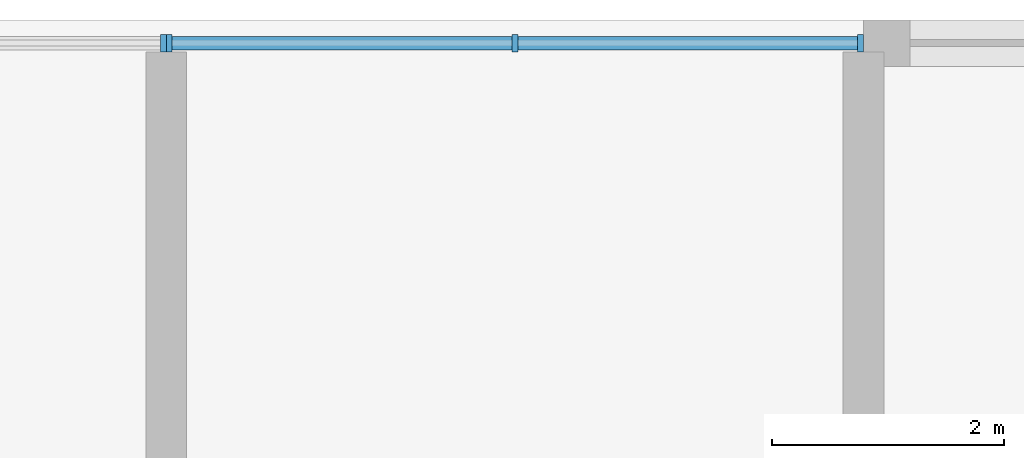
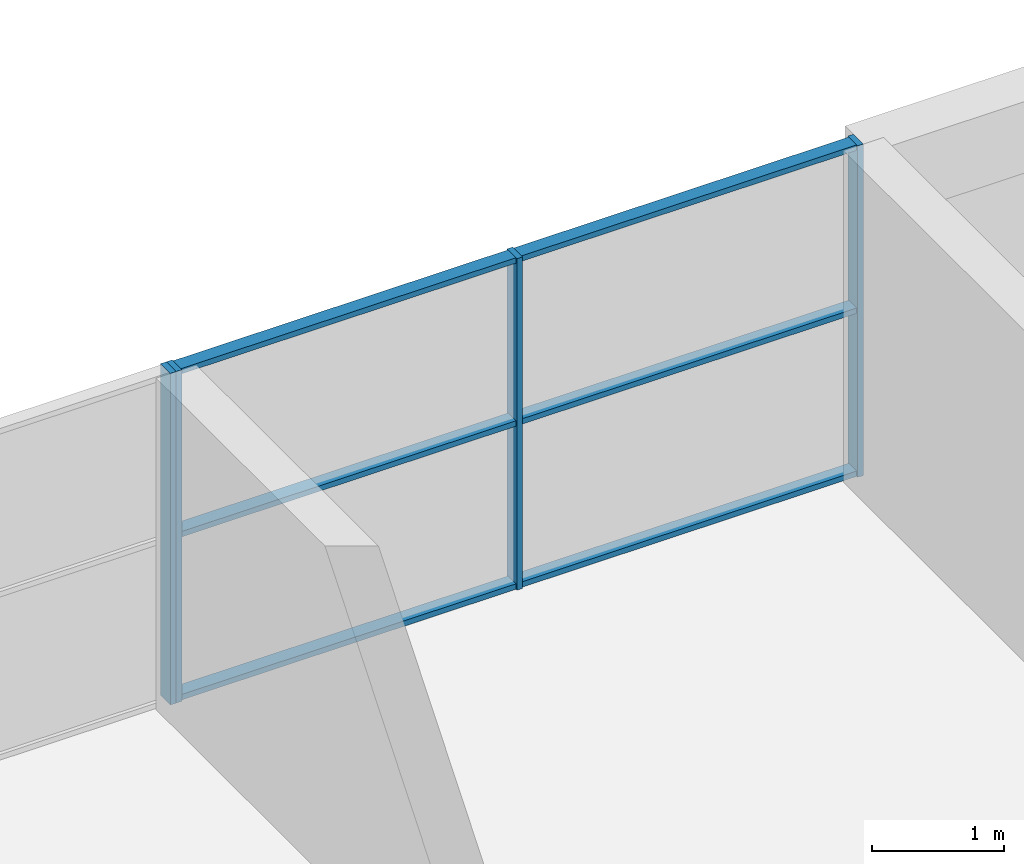
# One storey, part 5 of 18: 10 members, 2 elements without a shape of their own.
"""IFC4 building model written with IfcOpenShell, lengths in metres."""

from ifc_helpers import new_model, si_unit, direction, frame, origin, origin_2d, place, context, subcontext, project, spatial, rectangle, extrude, material, layer, layer_set, material_profile, profile_set, type_object, element, aggregate, save


model = new_model("IFC4")

# Units and contexts
model_context = context("Model", 3, precision=1e-05, world=origin(), true_north=direction((0.0, 1.0)))
body_context = subcontext(model_context, "Body", "Model", "MODEL_VIEW")
ifc_project = project(units=[si_unit("LENGTHUNIT", "METRE"), si_unit("AREAUNIT", "SQUARE_METRE"), si_unit("VOLUMEUNIT", "CUBIC_METRE"), si_unit("PLANEANGLEUNIT", "RADIAN"), si_unit("MASSUNIT", "GRAM", prefix="KILO")], contexts=[model_context])

# Site, building, storey
site_placement = place(None, origin())
site = spatial("IfcSite", under=ifc_project, at=site_placement, CompositionType="ELEMENT")
building_placement = place(site_placement, origin())
building = spatial("IfcBuilding", under=site, at=building_placement, Name="Poui Terraces", CompositionType="ELEMENT")
storey_placement = place(building_placement, frame((0.0, 0.0, 105.89990234375)))
storey = spatial("IfcBuildingStorey", under=building, at=storey_placement, Name="L29", CompositionType="ELEMENT", Elevation=105.89990234375)

# Curtain wall, member
ifc_material_1 = material(Name="Clear glass", Category="glass")
ifc_layer = layer(ifc_material_1, 0.14990234375)
ifc_layer_set = layer_set([ifc_layer], Name="Clear glass")
curtain_wall_type = type_object("IfcCurtainWallType", Name="CURTAIN WALL CW-C COMMUNITY HALL GLAZING", PredefinedType="NOTDEFINED", material=ifc_layer_set)
curtain_wall_1_placement = place(storey_placement, origin())
curtain_wall_1 = element("IfcCurtainWall", 1, at=curtain_wall_1_placement, inside=storey, type_object=curtain_wall_type, Name="CW-C COMMUNITY HALL GLAZING", PredefinedType="NOTDEFINED")
ifc_material_2 = material(Name="Aluminium frame", Category="aluminium")
ifc_material_profile_1 = material_profile(ifc_material_2, rectangle(XDim=0.14990234375, YDim=0.050048828125, at=origin_2d()), Name="CW-C MULLION 50X150")
ifc_profile_set_1 = profile_set([ifc_material_profile_1], Name="Aluminium frame")
member_type_1 = type_object("IfcMemberType", Name="CW-C MULLION 50X150", PredefinedType="MULLION", material=ifc_profile_set_1)
member_1_placement = place(storey_placement, frame((71.97509765625, 43.60009765625, 0.0), z_axis=(0.0, 0.0, 1.0), x_axis=(0.0, -1.0, 0.0)))
member_1 = element("IfcMember", 2, at=member_1_placement, type_object=member_type_1, Name="CW-C mullion 1", PredefinedType="MULLION", context=body_context, shape_type="SweptSolid", body=[
    extrude(rectangle(XDim=0.14990234375, YDim=0.050048828125, at=origin_2d()), origin(), (0.0, 0.0, 1.0), 3.06005859375),
])
aggregate(curtain_wall_1, [member_1])

# Curtain wall, members
curtain_wall_2_placement = place(storey_placement, origin())
curtain_wall_2 = element("IfcCurtainWall", 3, at=curtain_wall_2_placement, inside=storey, type_object=curtain_wall_type, Name="CW-C COMMUNITY HALL GLAZING", PredefinedType="NOTDEFINED")
member_2_placement = place(storey_placement, frame((77.97509765625, 43.60009765625, 0.0), z_axis=(0.0, 0.0, 1.0), x_axis=(0.0, -1.0, 0.0)))
member_2 = element("IfcMember", 4, at=member_2_placement, type_object=member_type_1, Name="CW-C mullion 1", PredefinedType="MULLION", context=body_context, shape_type="SweptSolid", body=[
    extrude(rectangle(XDim=0.14990234375, YDim=0.050048828125, at=origin_2d()), origin(), (0.0, 0.0, 1.0), 3.06005859375),
])
member_3_placement = place(storey_placement, frame((75.0, 43.60009765625, 0.0), z_axis=(0.0, 0.0, 1.0), x_axis=(0.0, -1.0, 0.0)))
member_3 = element("IfcMember", 5, at=member_3_placement, type_object=member_type_1, Name="CW-C mullion 2", PredefinedType="MULLION", context=body_context, shape_type="SweptSolid", body=[
    extrude(rectangle(XDim=0.14990234375, YDim=0.050048828125, at=origin_2d()), origin(), (0.0, 0.0, 1.0), 3.06005859375),
])
member_4_placement = place(storey_placement, frame((72.02490234375, 43.60009765625, 0.0), z_axis=(0.0, 0.0, 1.0), x_axis=(0.0, -1.0, 0.0)))
member_4 = element("IfcMember", 6, at=member_4_placement, type_object=member_type_1, Name="CW-C mullion 3", PredefinedType="MULLION", context=body_context, shape_type="SweptSolid", body=[
    extrude(rectangle(XDim=0.14990234375, YDim=0.050048828125, at=origin_2d()), origin(), (0.0, 0.0, 1.0), 3.06005859375),
])
ifc_material_profile_2 = material_profile(ifc_material_2, rectangle(XDim=0.1201171875, YDim=0.050048828125, at=origin_2d()), Name="CW-C TRANSOM 50X120")
ifc_profile_set_2 = profile_set([ifc_material_profile_2], Name="Aluminium frame")
member_type_2 = type_object("IfcMemberType", Name="CW-C TRANSOM 50X120", PredefinedType="USERDEFINED", material=ifc_profile_set_2)
member_5_placement = place(storey_placement, frame((77.949951171875, 43.60009765625, 0.025146484375), z_axis=(-1.0, 0.0, 0.0), x_axis=(0.0, -1.0, 0.0)))
member_5 = element("IfcMember", 7, at=member_5_placement, type_object=member_type_2, Name="CW-C transom 1.1", ObjectType="TRANSOM", PredefinedType="USERDEFINED", context=body_context, shape_type="SweptSolid", body=[
    extrude(rectangle(XDim=0.1201171875, YDim=0.050048828125, at=origin_2d()), origin(), (0.0, 0.0, 1.0), 2.925048828125),
])
member_6_placement = place(storey_placement, frame((77.949951171875, 43.60009765625, 1.530029296875), z_axis=(-1.0, 0.0, 0.0), x_axis=(0.0, -1.0, 0.0)))
member_6 = element("IfcMember", 8, at=member_6_placement, type_object=member_type_2, Name="CW-C transom 1.2", ObjectType="TRANSOM", PredefinedType="USERDEFINED", context=body_context, shape_type="SweptSolid", body=[
    extrude(rectangle(XDim=0.1201171875, YDim=0.050048828125, at=origin_2d()), origin(), (0.0, 0.0, 1.0), 2.925048828125),
])
member_7_placement = place(storey_placement, frame((77.949951171875, 43.60009765625, 3.03515625), z_axis=(-1.0, 0.0, 0.0), x_axis=(0.0, -1.0, 0.0)))
member_7 = element("IfcMember", 9, at=member_7_placement, type_object=member_type_2, Name="CW-C transom 1.3", ObjectType="TRANSOM", PredefinedType="USERDEFINED", context=body_context, shape_type="SweptSolid", body=[
    extrude(rectangle(XDim=0.1201171875, YDim=0.050048828125, at=origin_2d()), origin(), (0.0, 0.0, 1.0), 2.925048828125),
])
member_8_placement = place(storey_placement, frame((74.97509765625, 43.60009765625, 0.025146484375), z_axis=(-1.0, 0.0, 0.0), x_axis=(0.0, -1.0, 0.0)))
member_8 = element("IfcMember", 10, at=member_8_placement, type_object=member_type_2, Name="CW-C transom 2.1", ObjectType="TRANSOM", PredefinedType="USERDEFINED", context=body_context, shape_type="SweptSolid", body=[
    extrude(rectangle(XDim=0.1201171875, YDim=0.050048828125, at=origin_2d()), origin(), (0.0, 0.0, 1.0), 2.925048828125),
])
member_9_placement = place(storey_placement, frame((74.97509765625, 43.60009765625, 1.530029296875), z_axis=(-1.0, 0.0, 0.0), x_axis=(0.0, -1.0, 0.0)))
member_9 = element("IfcMember", 11, at=member_9_placement, type_object=member_type_2, Name="CW-C transom 2.2", ObjectType="TRANSOM", PredefinedType="USERDEFINED", context=body_context, shape_type="SweptSolid", body=[
    extrude(rectangle(XDim=0.1201171875, YDim=0.050048828125, at=origin_2d()), origin(), (0.0, 0.0, 1.0), 2.925048828125),
])
member_10_placement = place(storey_placement, frame((74.97509765625, 43.60009765625, 3.03515625), z_axis=(-1.0, 0.0, 0.0), x_axis=(0.0, -1.0, 0.0)))
member_10 = element("IfcMember", 12, at=member_10_placement, type_object=member_type_2, Name="CW-C transom 2.3", ObjectType="TRANSOM", PredefinedType="USERDEFINED", context=body_context, shape_type="SweptSolid", body=[
    extrude(rectangle(XDim=0.1201171875, YDim=0.050048828125, at=origin_2d()), origin(), (0.0, 0.0, 1.0), 2.925048828125),
])
aggregate(curtain_wall_2, [member_2, member_3, member_4, member_5, member_6, member_7, member_8, member_9, member_10])

save(model, "model.ifc")
